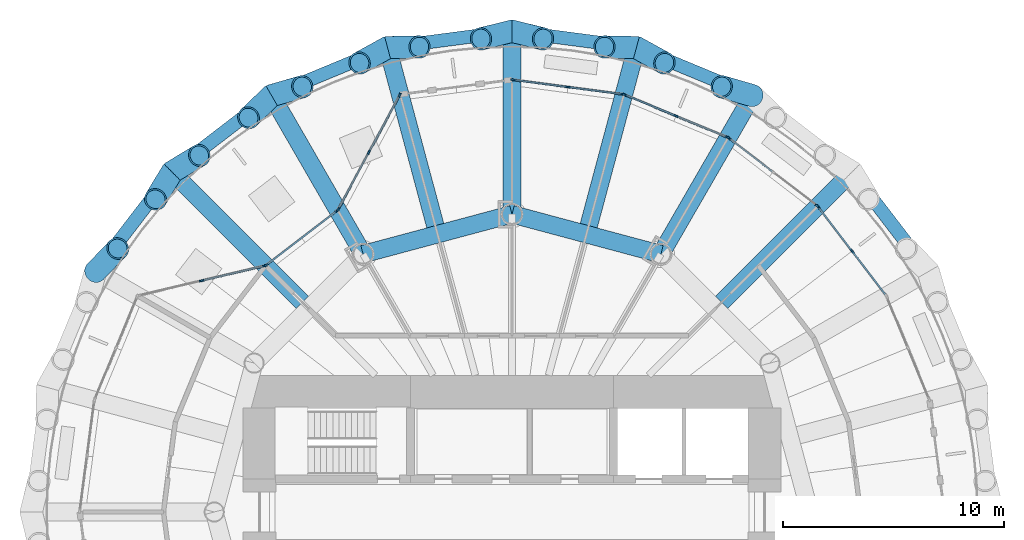
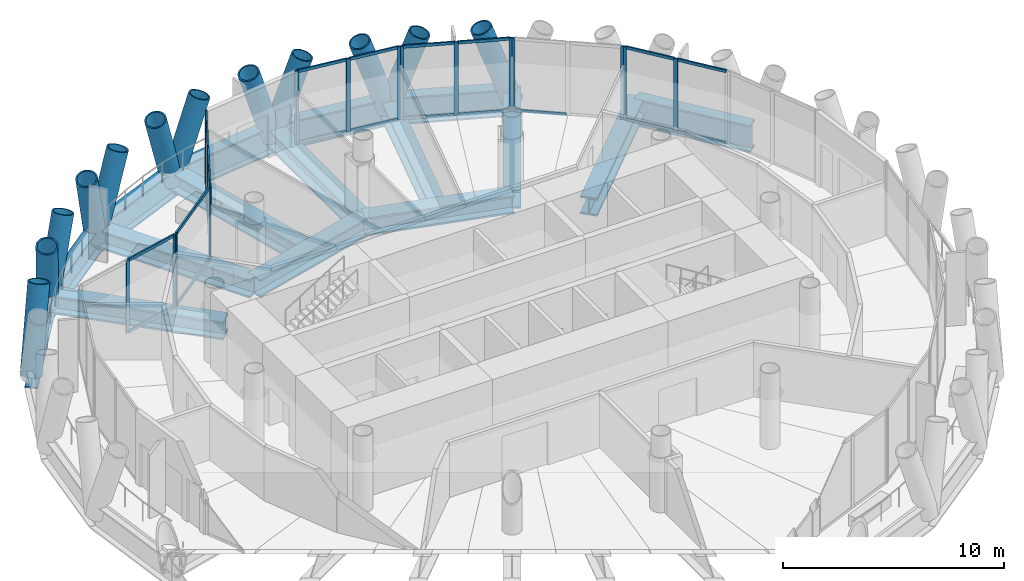
# One storey, part 5 of 14: 50 members, 16 beams, 7 elements without a shape of their own.
"""IFC4 building model written with IfcOpenShell, lengths in metres."""

from ifc_helpers import new_model, si_unit, direction, frame, origin, origin_2d, place, context, subcontext, project, spatial, rectangle, hollow_circle, i_section, extrude, material, material_profile, profile_set, type_object, element, aggregate, save


model = new_model("IFC4")

# Units and contexts
model_context = context("Model", 3, precision=1e-05, world=origin(), true_north=direction((0.0, 1.0)))
body_context = subcontext(model_context, "Body", "Model", "MODEL_VIEW")
ifc_project = project(units=[si_unit("LENGTHUNIT", "METRE"), si_unit("AREAUNIT", "SQUARE_METRE"), si_unit("VOLUMEUNIT", "CUBIC_METRE"), si_unit("PLANEANGLEUNIT", "RADIAN"), si_unit("MASSUNIT", "GRAM", prefix="KILO")], contexts=[model_context])

# Site, building, storey
site_placement = place(None, origin())
site = spatial("IfcSite", under=ifc_project, at=site_placement, CompositionType="ELEMENT")
building_placement = place(site_placement, origin())
building = spatial("IfcBuilding", under=site, at=building_placement, Name="Qaws Media Tower", CompositionType="ELEMENT")
storey_placement = place(building_placement, frame((0.0, 0.0, 261.199951171875)))
storey = spatial("IfcBuildingStorey", under=building, at=storey_placement, Name="L60", CompositionType="ELEMENT", Elevation=261.199951171875)

# Curtain wall, members
ifc_material_1 = material(Name="Aluminium and clear glass", Category="aluminium")
curtain_wall_type_1 = type_object("IfcCurtainWallType", Name="Unitised curtain wall CW-D", PredefinedType="NOTDEFINED", material=ifc_material_1)
curtain_wall_1_placement = place(storey_placement, origin())
curtain_wall_1 = element("IfcCurtainWall", 1, at=curtain_wall_1_placement, inside=storey, type_object=curtain_wall_type_1, Name="CWD curtain wall L60-03", PredefinedType="NOTDEFINED")
ifc_material_2 = material(Name="Aluminium mullion", Category="aluminium")
ifc_material_profile_1 = material_profile(ifc_material_2, rectangle(XDim=0.080078125, YDim=0.199951171875, at=origin_2d()), Name="80x200")
ifc_profile_set_1 = profile_set([ifc_material_profile_1], Name="Aluminium mullion")
member_type_1 = type_object("IfcMemberType", Name="Curtain wall mullion 80x200", PredefinedType="MULLION", material=ifc_profile_set_1)
member_1_placement = place(storey_placement, frame((75.416748046875, 61.82958984375, 0.0), z_axis=(0.0, 0.0, 1.0), x_axis=(-0.793353346996, -0.608761420271, 0.0)))
member_1 = element("IfcMember", 2, at=member_1_placement, type_object=member_type_1, Name="CWD mullion 2", PredefinedType="MULLION", context=body_context, shape_type="SweptSolid", body=[
    extrude(rectangle(XDim=0.080078125, YDim=0.199951171875, at=origin_2d()), origin(), (0.0, 0.0, 1.0), 4.0400390625),
])
member_2_placement = place(storey_placement, frame((73.883544921875, 63.82763671875, 0.0), z_axis=(0.0, 0.0, 1.0), x_axis=(-0.793353346996, -0.608761420271, 0.0)))
member_2 = element("IfcMember", 3, at=member_2_placement, type_object=member_type_1, Name="CWD mullion 3", PredefinedType="MULLION", context=body_context, shape_type="SweptSolid", body=[
    extrude(rectangle(XDim=0.080078125, YDim=0.199951171875, at=origin_2d()), origin(), (0.0, 0.0, 1.0), 4.0400390625),
])

curtain_wall_2_placement = place(storey_placement, origin())
curtain_wall_2 = element("IfcCurtainWall", 4, at=curtain_wall_2_placement, inside=storey, type_object=curtain_wall_type_1, Name="CWD curtain wall L60-04", PredefinedType="NOTDEFINED")
member_3_placement = place(storey_placement, frame((73.82763671875, 63.883544921875, 0.0), z_axis=(0.0, 0.0, 1.0), x_axis=(-0.608761420271, -0.793353346996, 0.0)))
member_3 = element("IfcMember", 5, at=member_3_placement, type_object=member_type_1, Name="CWD mullion 1", PredefinedType="MULLION", context=body_context, shape_type="SweptSolid", body=[
    extrude(rectangle(XDim=0.080078125, YDim=0.199951171875, at=origin_2d()), origin(), (0.0, 0.0, 1.0), 4.0400390625),
])
member_4_placement = place(storey_placement, frame((69.831787109375, 66.94970703125, 0.0), z_axis=(0.0, 0.0, 1.0), x_axis=(-0.608761420271, -0.793353346996, 0.0)))
member_4 = element("IfcMember", 6, at=member_4_placement, type_object=member_type_1, Name="CWD mullion 3", PredefinedType="MULLION", context=body_context, shape_type="SweptSolid", body=[
    extrude(rectangle(XDim=0.080078125, YDim=0.199951171875, at=origin_2d()), origin(), (0.0, 0.0, 1.0), 4.0400390625),
])

curtain_wall_3_placement = place(storey_placement, origin())
curtain_wall_3 = element("IfcCurtainWall", 7, at=curtain_wall_3_placement, inside=storey, type_object=curtain_wall_type_1, Name="CWD curtain wall L60-05", PredefinedType="NOTDEFINED")
member_5_placement = place(storey_placement, frame((69.762939453125, 66.989501953125, 0.0), z_axis=(0.0, 0.0, 1.0), x_axis=(-0.382683365851, -0.923879560063, 0.0)))
member_5 = element("IfcMember", 8, at=member_5_placement, type_object=member_type_1, Name="CWD mullion 1", PredefinedType="MULLION", context=body_context, shape_type="SweptSolid", body=[
    extrude(rectangle(XDim=0.080078125, YDim=0.199951171875, at=origin_2d()), origin(), (0.0, 0.0, 1.0), 4.0400390625),
])
member_6_placement = place(storey_placement, frame((67.4365234375, 67.953125, 0.0), z_axis=(0.0, 0.0, 1.0), x_axis=(-0.382683365851, -0.923879560063, 0.0)))
member_6 = element("IfcMember", 9, at=member_6_placement, type_object=member_type_1, Name="CWD mullion 2", PredefinedType="MULLION", context=body_context, shape_type="SweptSolid", body=[
    extrude(rectangle(XDim=0.080078125, YDim=0.199951171875, at=origin_2d()), origin(), (0.0, 0.0, 1.0), 4.0400390625),
])
member_7_placement = place(storey_placement, frame((65.10986328125, 68.916748046875, 0.0), z_axis=(0.0, 0.0, 1.0), x_axis=(-0.382683365851, -0.923879560063, 0.0)))
member_7 = element("IfcMember", 10, at=member_7_placement, type_object=member_type_1, Name="CWD mullion 3", PredefinedType="MULLION", context=body_context, shape_type="SweptSolid", body=[
    extrude(rectangle(XDim=0.080078125, YDim=0.199951171875, at=origin_2d()), origin(), (0.0, 0.0, 1.0), 4.0400390625),
])

curtain_wall_4_placement = place(storey_placement, origin())
curtain_wall_4 = element("IfcCurtainWall", 11, at=curtain_wall_4_placement, inside=storey, type_object=curtain_wall_type_1, Name="CWD curtain wall L60-06", PredefinedType="NOTDEFINED")
member_8_placement = place(storey_placement, frame((65.033203125, 68.937255859375, 0.0), z_axis=(0.0, 0.0, 1.0), x_axis=(-0.130526236916, -0.991444855489, 0.0)))
member_8 = element("IfcMember", 12, at=member_8_placement, type_object=member_type_1, Name="CWD mullion 1", PredefinedType="MULLION", context=body_context, shape_type="SweptSolid", body=[
    extrude(rectangle(XDim=0.080078125, YDim=0.199951171875, at=origin_2d()), origin(), (0.0, 0.0, 1.0), 4.0400390625),
])
member_9_placement = place(storey_placement, frame((62.536376953125, 69.26611328125, 0.0), z_axis=(0.0, 0.0, 1.0), x_axis=(-0.130526236916, -0.991444855489, 0.0)))
member_9 = element("IfcMember", 13, at=member_9_placement, type_object=member_type_1, Name="CWD mullion 2", PredefinedType="MULLION", context=body_context, shape_type="SweptSolid", body=[
    extrude(rectangle(XDim=0.080078125, YDim=0.199951171875, at=origin_2d()), origin(), (0.0, 0.0, 1.0), 4.0400390625),
])
member_10_placement = place(storey_placement, frame((60.03955078125, 69.5947265625, 0.0), z_axis=(0.0, 0.0, 1.0), x_axis=(-0.130526236916, -0.991444855489, 0.0)))
member_10 = element("IfcMember", 14, at=member_10_placement, type_object=member_type_1, Name="CWD mullion 3", PredefinedType="MULLION", context=body_context, shape_type="SweptSolid", body=[
    extrude(rectangle(XDim=0.080078125, YDim=0.199951171875, at=origin_2d()), origin(), (0.0, 0.0, 1.0), 4.0400390625),
])

ifc_material_3 = material(Name="Aluminium and clear glass", Category="aluminium")
curtain_wall_type_2 = type_object("IfcCurtainWallType", Name="Loggia curtain wall CW-G", PredefinedType="NOTDEFINED", material=ifc_material_3)
curtain_wall_5_placement = place(storey_placement, origin())
curtain_wall_5 = element("IfcCurtainWall", 15, at=curtain_wall_5_placement, inside=storey, type_object=curtain_wall_type_2, Name="CWG curtain wall L60-08", PredefinedType="NOTDEFINED")
member_11_placement = place(storey_placement, frame((54.908203125, 68.89697265625, 0.0), z_axis=(0.0, 0.0, 1.0), x_axis=(0.880415640804, -0.474202804112, 0.0)))
member_11 = element("IfcMember", 16, at=member_11_placement, type_object=member_type_1, Name="CWG mullion 1", PredefinedType="MULLION", context=body_context, shape_type="SweptSolid", body=[
    extrude(rectangle(XDim=0.080078125, YDim=0.199951171875, at=origin_2d()), origin(), (0.0, 0.0, 1.0), 4.0400390625),
])
member_12_placement = place(storey_placement, frame((53.513671875, 66.3076171875, 0.0), z_axis=(0.0, 0.0, 1.0), x_axis=(0.880415640804, -0.474202804112, 0.0)))
member_12 = element("IfcMember", 17, at=member_12_placement, type_object=member_type_1, Name="CWG mullion 2", PredefinedType="MULLION", context=body_context, shape_type="SweptSolid", body=[
    extrude(rectangle(XDim=0.080078125, YDim=0.199951171875, at=origin_2d()), origin(), (0.0, 0.0, 1.0), 4.0400390625),
])
member_13_placement = place(storey_placement, frame((52.118896484375, 63.718505859375, 0.0), z_axis=(0.0, 0.0, 1.0), x_axis=(0.880415640804, -0.474202804112, 0.0)))
member_13 = element("IfcMember", 18, at=member_13_placement, type_object=member_type_1, Name="CWG mullion 3", PredefinedType="MULLION", context=body_context, shape_type="SweptSolid", body=[
    extrude(rectangle(XDim=0.080078125, YDim=0.199951171875, at=origin_2d()), origin(), (0.0, 0.0, 1.0), 4.0400390625),
])

curtain_wall_6_placement = place(storey_placement, origin())
curtain_wall_6 = element("IfcCurtainWall", 19, at=curtain_wall_6_placement, inside=storey, type_object=curtain_wall_type_2, Name="CWG curtain wall L60-09", PredefinedType="NOTDEFINED")
member_14_placement = place(storey_placement, frame((52.068359375, 63.658935546875, 0.0), z_axis=(0.0, 0.0, 1.0), x_axis=(0.608761409554, -0.793353355219, 0.0)))
member_14 = element("IfcMember", 20, at=member_14_placement, type_object=member_type_1, Name="CWG mullion 1", PredefinedType="MULLION", context=body_context, shape_type="SweptSolid", body=[
    extrude(rectangle(XDim=0.080078125, YDim=0.199951171875, at=origin_2d()), origin(), (0.0, 0.0, 1.0), 4.0400390625),
])
member_15_placement = place(storey_placement, frame((48.859375, 61.196533203125, 0.0), z_axis=(0.0, 0.0, 1.0), x_axis=(0.608761409554, -0.793353355219, 0.0)))
member_15 = element("IfcMember", 21, at=member_15_placement, type_object=member_type_1, Name="CWG mullion 2", PredefinedType="MULLION", context=body_context, shape_type="SweptSolid", body=[
    extrude(rectangle(XDim=0.080078125, YDim=0.199951171875, at=origin_2d()), origin(), (0.0, 0.0, 1.0), 4.0400390625),
])

curtain_wall_7_placement = place(storey_placement, origin())
curtain_wall_7 = element("IfcCurtainWall", 22, at=curtain_wall_7_placement, inside=storey, type_object=curtain_wall_type_2, Name="CWG curtain wall L60-10", PredefinedType="NOTDEFINED")
member_16_placement = place(storey_placement, frame((48.788818359375, 61.1630859375, 0.0), z_axis=(0.0, 0.0, 1.0), x_axis=(0.230176342162, -0.973148935934, 0.0)))
member_16 = element("IfcMember", 23, at=member_16_placement, type_object=member_type_1, Name="CWG mullion 1", PredefinedType="MULLION", context=body_context, shape_type="SweptSolid", body=[
    extrude(rectangle(XDim=0.080078125, YDim=0.199951171875, at=origin_2d()), origin(), (0.0, 0.0, 1.0), 4.0400390625),
])
member_17_placement = place(storey_placement, frame((45.9267578125, 60.486083984375, 0.0), z_axis=(0.0, 0.0, 1.0), x_axis=(0.230176342162, -0.973148935934, 0.0)))
member_17 = element("IfcMember", 24, at=member_17_placement, type_object=member_type_1, Name="CWG mullion 2", PredefinedType="MULLION", context=body_context, shape_type="SweptSolid", body=[
    extrude(rectangle(XDim=0.080078125, YDim=0.199951171875, at=origin_2d()), origin(), (0.0, 0.0, 1.0), 4.0400390625),
])

# Member
ifc_material_4 = material(Name="Aluminium transom", Category="aluminium")
ifc_material_profile_2 = material_profile(ifc_material_4, rectangle(XDim=0.080078125, YDim=0.159912109375, at=origin_2d()), Name="80x160")
ifc_profile_set_2 = profile_set([ifc_material_profile_2], Name="Aluminium transom")
member_type_2 = type_object("IfcMemberType", Name="Curtain wall transom 80x160", PredefinedType="USERDEFINED", material=ifc_profile_set_2)
member_18_placement = place(storey_placement, frame((76.92529296875, 59.863525390625, 0.0400390625), z_axis=(-0.60872791556, 0.79337905494, 0.0), x_axis=(-0.79337905494, -0.60872791556, 0.0)))
member_18 = element("IfcMember", 25, at=member_18_placement, type_object=member_type_2, Name="CWD transom 1.1", ObjectType="TRANSOM", PredefinedType="USERDEFINED", context=body_context, shape_type="SweptSolid", body=[
    extrude(rectangle(XDim=0.080078125, YDim=0.159912109375, at=origin_2d()), origin(), (0.0, 0.0, 1.0), 2.43798828125),
])

member_19_placement = place(storey_placement, frame((76.92529296875, 59.863525390625, 4.0), z_axis=(-0.60872791556, 0.79337905494, 0.0), x_axis=(-0.79337905494, -0.60872791556, 0.0)))
member_19 = element("IfcMember", 26, at=member_19_placement, type_object=member_type_2, Name="CWD transom 1.2", ObjectType="TRANSOM", PredefinedType="USERDEFINED", context=body_context, shape_type="SweptSolid", body=[
    extrude(rectangle(XDim=0.080078125, YDim=0.159912109375, at=origin_2d()), origin(), (0.0, 0.0, 1.0), 2.43798828125),
])

member_20_placement = place(storey_placement, frame((75.392333984375, 61.861328125, 0.0400390625), z_axis=(-0.608742583183, 0.793367800846, 0.0), x_axis=(-0.793367800846, -0.608742583183, 0.0)))
member_20 = element("IfcMember", 27, at=member_20_placement, type_object=member_type_2, Name="CWD transom 2.1", ObjectType="TRANSOM", PredefinedType="USERDEFINED", context=body_context, shape_type="SweptSolid", body=[
    extrude(rectangle(XDim=0.080078125, YDim=0.159912109375, at=origin_2d()), origin(), (0.0, 0.0, 1.0), 2.4384765625),
])

member_21_placement = place(storey_placement, frame((75.392333984375, 61.861328125, 4.0), z_axis=(-0.608742583183, 0.793367800846, 0.0), x_axis=(-0.793367800846, -0.608742583183, 0.0)))
member_21 = element("IfcMember", 28, at=member_21_placement, type_object=member_type_2, Name="CWD transom 2.2", ObjectType="TRANSOM", PredefinedType="USERDEFINED", context=body_context, shape_type="SweptSolid", body=[
    extrude(rectangle(XDim=0.080078125, YDim=0.159912109375, at=origin_2d()), origin(), (0.0, 0.0, 1.0), 2.4384765625),
])

aggregate(curtain_wall_1, [member_1, member_2, member_18, member_19, member_20, member_21])

member_22_placement = place(storey_placement, frame((71.7978515625, 65.441162109375, 0.0400390625), z_axis=(-0.79337905494, 0.60872791556, 0.0), x_axis=(-0.60872791556, -0.79337905494, 0.0)))
member_22 = element("IfcMember", 29, at=member_22_placement, type_object=member_type_2, Name="CWD transom 2.1", ObjectType="TRANSOM", PredefinedType="USERDEFINED", context=body_context, shape_type="SweptSolid", body=[
    extrude(rectangle(XDim=0.080078125, YDim=0.159912109375, at=origin_2d()), origin(), (0.0, 0.0, 1.0), 2.43798828125),
])

aggregate(curtain_wall_2, [member_3, member_4, member_22])

member_23_placement = place(storey_placement, frame((69.72607421875, 67.004638671875, 0.0400390625), z_axis=(-0.923877710793, 0.382687830351, 0.0), x_axis=(-0.382687830351, -0.923877710793, 0.0)))
member_23 = element("IfcMember", 30, at=member_23_placement, type_object=member_type_2, Name="CWD transom 1.1", ObjectType="TRANSOM", PredefinedType="USERDEFINED", context=body_context, shape_type="SweptSolid", body=[
    extrude(rectangle(XDim=0.080078125, YDim=0.159912109375, at=origin_2d()), origin(), (0.0, 0.0, 1.0), 2.438232421875),
])

member_24_placement = place(storey_placement, frame((69.72607421875, 67.004638671875, 4.0), z_axis=(-0.923877710793, 0.382687830351, 0.0), x_axis=(-0.382687830351, -0.923877710793, 0.0)))
member_24 = element("IfcMember", 31, at=member_24_placement, type_object=member_type_2, Name="CWD transom 1.2", ObjectType="TRANSOM", PredefinedType="USERDEFINED", context=body_context, shape_type="SweptSolid", body=[
    extrude(rectangle(XDim=0.080078125, YDim=0.159912109375, at=origin_2d()), origin(), (0.0, 0.0, 1.0), 2.438232421875),
])

member_25_placement = place(storey_placement, frame((67.3994140625, 67.968505859375, 0.0400390625), z_axis=(-0.923877710793, 0.382687830351, 0.0), x_axis=(-0.382687830351, -0.923877710793, 0.0)))
member_25 = element("IfcMember", 32, at=member_25_placement, type_object=member_type_2, Name="CWD transom 2.1", ObjectType="TRANSOM", PredefinedType="USERDEFINED", context=body_context, shape_type="SweptSolid", body=[
    extrude(rectangle(XDim=0.080078125, YDim=0.159912109375, at=origin_2d()), origin(), (0.0, 0.0, 1.0), 2.438232421875),
])

member_26_placement = place(storey_placement, frame((67.3994140625, 67.968505859375, 4.0), z_axis=(-0.923877710793, 0.382687830351, 0.0), x_axis=(-0.382687830351, -0.923877710793, 0.0)))
member_26 = element("IfcMember", 33, at=member_26_placement, type_object=member_type_2, Name="CWD transom 2.2", ObjectType="TRANSOM", PredefinedType="USERDEFINED", context=body_context, shape_type="SweptSolid", body=[
    extrude(rectangle(XDim=0.080078125, YDim=0.159912109375, at=origin_2d()), origin(), (0.0, 0.0, 1.0), 2.438232421875),
])

aggregate(curtain_wall_3, [member_5, member_6, member_7, member_23, member_24, member_25, member_26])

member_27_placement = place(storey_placement, frame((64.99365234375, 68.942626953125, 0.0400390625), z_axis=(-0.991452932295, 0.130464872832, 0.0), x_axis=(-0.130464872832, -0.991452932295, 0.0)))
member_27 = element("IfcMember", 34, at=member_27_placement, type_object=member_type_2, Name="CWD transom 1.1", ObjectType="TRANSOM", PredefinedType="USERDEFINED", context=body_context, shape_type="SweptSolid", body=[
    extrude(rectangle(XDim=0.080078125, YDim=0.159912109375, at=origin_2d()), origin(), (0.0, 0.0, 1.0), 2.438232421875),
])

member_28_placement = place(storey_placement, frame((64.99365234375, 68.942626953125, 4.0), z_axis=(-0.991452932295, 0.130464872832, 0.0), x_axis=(-0.130464872832, -0.991452932295, 0.0)))
member_28 = element("IfcMember", 35, at=member_28_placement, type_object=member_type_2, Name="CWD transom 1.2", ObjectType="TRANSOM", PredefinedType="USERDEFINED", context=body_context, shape_type="SweptSolid", body=[
    extrude(rectangle(XDim=0.080078125, YDim=0.159912109375, at=origin_2d()), origin(), (0.0, 0.0, 1.0), 2.438232421875),
])

member_29_placement = place(storey_placement, frame((62.496826171875, 69.271240234375, 0.0400390625), z_axis=(-0.991439976234, 0.130563293174, 0.0), x_axis=(-0.130563293174, -0.991439976234, 0.0)))
member_29 = element("IfcMember", 36, at=member_29_placement, type_object=member_type_2, Name="CWD transom 2.1", ObjectType="TRANSOM", PredefinedType="USERDEFINED", context=body_context, shape_type="SweptSolid", body=[
    extrude(rectangle(XDim=0.080078125, YDim=0.159912109375, at=origin_2d()), origin(), (0.0, 0.0, 1.0), 2.438232421875),
])

member_30_placement = place(storey_placement, frame((62.496826171875, 69.271240234375, 4.0), z_axis=(-0.991439976234, 0.130563293174, 0.0), x_axis=(-0.130563293174, -0.991439976234, 0.0)))
member_30 = element("IfcMember", 37, at=member_30_placement, type_object=member_type_2, Name="CWD transom 2.2", ObjectType="TRANSOM", PredefinedType="USERDEFINED", context=body_context, shape_type="SweptSolid", body=[
    extrude(rectangle(XDim=0.080078125, YDim=0.159912109375, at=origin_2d()), origin(), (0.0, 0.0, 1.0), 2.438232421875),
])

aggregate(curtain_wall_4, [member_8, member_9, member_10, member_27, member_28, member_29, member_30])

member_31_placement = place(storey_placement, frame((54.88916015625, 68.86181640625, 0.0400390625), z_axis=(-0.474176148119, -0.880429997533, 0.0), x_axis=(0.880429997533, -0.474176148119, 0.0)))
member_31 = element("IfcMember", 38, at=member_31_placement, type_object=member_type_2, Name="CWG transom 1.1", ObjectType="TRANSOM", PredefinedType="USERDEFINED", context=body_context, shape_type="SweptSolid", body=[
    extrude(rectangle(XDim=0.080078125, YDim=0.159912109375, at=origin_2d()), origin(), (0.0, 0.0, 1.0), 2.861083984375),
])

member_32_placement = place(storey_placement, frame((54.88916015625, 68.86181640625, 4.0), z_axis=(-0.474176148119, -0.880429997533, 0.0), x_axis=(0.880429997533, -0.474176148119, 0.0)))
member_32 = element("IfcMember", 39, at=member_32_placement, type_object=member_type_2, Name="CWG transom 1.2", ObjectType="TRANSOM", PredefinedType="USERDEFINED", context=body_context, shape_type="SweptSolid", body=[
    extrude(rectangle(XDim=0.080078125, YDim=0.159912109375, at=origin_2d()), origin(), (0.0, 0.0, 1.0), 2.861083984375),
])

member_33_placement = place(storey_placement, frame((53.49462890625, 66.2724609375, 0.0400390625), z_axis=(-0.474211773682, -0.880410809623, 0.0), x_axis=(0.880410809623, -0.474211773682, 0.0)))
member_33 = element("IfcMember", 40, at=member_33_placement, type_object=member_type_2, Name="CWG transom 2.1", ObjectType="TRANSOM", PredefinedType="USERDEFINED", context=body_context, shape_type="SweptSolid", body=[
    extrude(rectangle(XDim=0.080078125, YDim=0.159912109375, at=origin_2d()), origin(), (0.0, 0.0, 1.0), 2.86083984375),
])

member_34_placement = place(storey_placement, frame((53.49462890625, 66.2724609375, 4.0), z_axis=(-0.474211773682, -0.880410809623, 0.0), x_axis=(0.880410809623, -0.474211773682, 0.0)))
member_34 = element("IfcMember", 41, at=member_34_placement, type_object=member_type_2, Name="CWG transom 2.2", ObjectType="TRANSOM", PredefinedType="USERDEFINED", context=body_context, shape_type="SweptSolid", body=[
    extrude(rectangle(XDim=0.080078125, YDim=0.159912109375, at=origin_2d()), origin(), (0.0, 0.0, 1.0), 2.86083984375),
])

aggregate(curtain_wall_5, [member_11, member_12, member_13, member_31, member_32, member_33, member_34])

member_35_placement = place(storey_placement, frame((52.03662109375, 63.634521484375, 0.0400390625), z_axis=(-0.793360504872, -0.608752091832, 0.0), x_axis=(0.608752091832, -0.793360504872, 0.0)))
member_35 = element("IfcMember", 42, at=member_35_placement, type_object=member_type_2, Name="CWG transom 1.1", ObjectType="TRANSOM", PredefinedType="USERDEFINED", context=body_context, shape_type="SweptSolid", body=[
    extrude(rectangle(XDim=0.080078125, YDim=0.159912109375, at=origin_2d()), origin(), (0.0, 0.0, 1.0), 3.96484375),
])

member_36_placement = place(storey_placement, frame((52.03662109375, 63.634521484375, 4.0), z_axis=(-0.793360504872, -0.608752091832, 0.0), x_axis=(0.608752091832, -0.793360504872, 0.0)))
member_36 = element("IfcMember", 43, at=member_36_placement, type_object=member_type_2, Name="CWG transom 1.2", ObjectType="TRANSOM", PredefinedType="USERDEFINED", context=body_context, shape_type="SweptSolid", body=[
    extrude(rectangle(XDim=0.080078125, YDim=0.159912109375, at=origin_2d()), origin(), (0.0, 0.0, 1.0), 3.96484375),
])

aggregate(curtain_wall_6, [member_14, member_15, member_35, member_36])

member_37_placement = place(storey_placement, frame((48.749755859375, 61.15380859375, 0.0400390625), z_axis=(-0.973151256769, -0.230166529817, 0.0), x_axis=(0.230166529817, -0.973151256769, 0.0)))
member_37 = element("IfcMember", 44, at=member_37_placement, type_object=member_type_2, Name="CWG transom 1.1", ObjectType="TRANSOM", PredefinedType="USERDEFINED", context=body_context, shape_type="SweptSolid", body=[
    extrude(rectangle(XDim=0.080078125, YDim=0.159912109375, at=origin_2d()), origin(), (0.0, 0.0, 1.0), 2.86083984375),
])

member_38_placement = place(storey_placement, frame((48.749755859375, 61.15380859375, 4.0), z_axis=(-0.973151256769, -0.230166529817, 0.0), x_axis=(0.230166529817, -0.973151256769, 0.0)))
member_38 = element("IfcMember", 45, at=member_38_placement, type_object=member_type_2, Name="CWG transom 1.2", ObjectType="TRANSOM", PredefinedType="USERDEFINED", context=body_context, shape_type="SweptSolid", body=[
    extrude(rectangle(XDim=0.080078125, YDim=0.159912109375, at=origin_2d()), origin(), (0.0, 0.0, 1.0), 2.86083984375),
])

aggregate(curtain_wall_7, [member_16, member_17, member_37, member_38])

# Members
ifc_material_5 = material(Name="Steel S460", Category="steel")
ifc_material_profile_3 = material_profile(ifc_material_5, hollow_circle(Radius=0.508056640625, WallThickness=0.070068359375, at=origin_2d()), Name="CHS 1016x70")
ifc_profile_set_3 = profile_set([ifc_material_profile_3], Name="Steel S460")
member_type_3 = type_object("IfcMemberType", Name="Diagrid member CHS 1016x70", PredefinedType="USERDEFINED", material=ifc_profile_set_3)
for number, where, z_axis, x_axis, name in (
    (46, (70.89990234375, 68.87939453125, -0.909912109375), (-0.313025284583, 0.090786125374, 0.945395711145), (-0.278549335443, -0.960421921722, 0.0), "DG3 diagrid L60 A05"),
    (47, (65.642333984375, 71.05712890625, -0.909912109375), (-0.32593085534, 0.006704360875, 0.945369837197), (-0.020565536647, -0.999788506987, 0.0), "DG3 diagrid L60 A06"),
    (48, (65.642333984375, 71.05712890625, -0.909912109375), (0.285545705126, -0.157171038618, 0.94538929278), (0.482203504183, 0.876059233473, 0.0), "DG3 diagrid L60 B06"),
    (49, (60.0, 71.800048828125, -0.909912109375), (-0.316535346653, -0.077924847492, 0.945374577859), (0.239043500439, -0.97100885933, 0.0), "DG3 diagrid L60 A07"),
    (50, (60.0, 71.800048828125, -0.909912109375), (0.316535346653, -0.077924847492, 0.945374577859), (0.239043500439, 0.97100885933, 0.0), "DG3 diagrid L60 B07"),
    (51, (54.357666015625, 71.05712890625, -0.909912109375), (-0.285545705126, -0.157171038618, 0.94538929278), (0.482203504183, -0.876059233473, 0.0), "DG3 diagrid L60 A08"),
    (52, (54.357666015625, 71.05712890625, -0.909912109375), (0.32593085534, 0.006704360875, 0.945369837197), (-0.020565536647, 0.999788506987, 0.0), "DG3 diagrid L60 B08"),
    (53, (49.10009765625, 68.87939453125, -0.909912109375), (-0.235204226864, -0.225697140124, 0.945378110919), (0.692373895828, -0.721538902884, 0.0), "DG3 diagrid L60 A09"),
    (54, (49.10009765625, 68.87939453125, -0.909912109375), (0.313025284583, 0.090786125374, 0.945395711145), (-0.278549335443, 0.960421921722, 0.0), "DG3 diagrid L60 B09"),
    (55, (44.5849609375, 65.4150390625, -0.909912109375), (-0.168710930242, -0.278895104553, 0.945385711058), (0.855627803582, -0.517591597438, 0.0), "DG3 diagrid L60 A10"),
    (56, (44.5849609375, 65.4150390625, -0.909912109375), (0.278895104553, 0.168710930242, 0.945385711058), (-0.517591597438, 0.855627803582, 0.0), "DG3 diagrid L60 B10"),
    (57, (41.12060546875, 60.89990234375, -0.909912109375), (0.225697140124, 0.235204226864, 0.945378110919), (-0.721538902884, 0.692373895828, 0.0), "DG3 diagrid L60 B11"),
):
    element("IfcMember", number, at=place(storey_placement, frame(where, z_axis=z_axis, x_axis=x_axis)), inside=storey, type_object=member_type_3, Name=name, ObjectType="DIAGRID", PredefinedType="USERDEFINED", context=body_context, shape_type="SweptSolid", body=[
        extrude(hollow_circle(Radius=0.508056640625, WallThickness=0.070068359375, at=origin_2d()), origin(), (0.0, 0.0, 1.0), 4.442626953125),
    ])

# Beams
ifc_material_6 = material(Name="Steel S460", Category="steel")
ifc_material_profile_4 = material_profile(ifc_material_6, i_section(OverallWidth=0.60009765625, OverallDepth=1.5, WebThickness=0.030029296875, FlangeThickness=0.080078125, at=origin_2d()), Name="PG 1500x600")
ifc_profile_set_4 = profile_set([ifc_material_profile_4], Name="Steel S460")
beam_type_1 = type_object("IfcBeamType", Name="Edge ring beam PG 1500x600", PredefinedType="BEAM", material=ifc_profile_set_4)
beam_1_placement = place(storey_placement, frame((78.87939453125, 60.89990234375, -0.909912109375), z_axis=(-0.608735904226, 0.793372925494, 0.0), x_axis=(-0.793372925494, -0.608735904226, 0.0)))
element("IfcBeam", 58, at=beam_1_placement, inside=storey, type_object=beam_type_1, Name="RB5 edge ring beam L60-03", PredefinedType="BEAM", context=body_context, shape_type="SweptSolid", body=[
    extrude(i_section(OverallWidth=0.60009765625, OverallDepth=1.5, WebThickness=0.030029296875, FlangeThickness=0.080078125, at=origin_2d()), origin(), (0.0, 0.0, 1.0), 5.691162109375),
])
beam_2_placement = place(storey_placement, frame((70.89990234375, 68.87939453125, -0.909912109375), z_axis=(-0.923880883447, 0.382680170901, 0.0), x_axis=(-0.382680170901, -0.923880883447, 0.0)))
element("IfcBeam", 59, at=beam_2_placement, inside=storey, type_object=beam_type_1, Name="RB5 edge ring beam L60-05", PredefinedType="BEAM", context=body_context, shape_type="SweptSolid", body=[
    extrude(i_section(OverallWidth=0.60009765625, OverallDepth=1.5, WebThickness=0.030029296875, FlangeThickness=0.080078125, at=origin_2d()), origin(), (0.0, 0.0, 1.0), 5.690673828125),
])
for number, where, z_axis, x_axis, name in (
    (60, (65.642333984375, 71.05712890625, -0.909912109375), (-0.991442756491, 0.130542179395, 0.0), (-0.130542179395, -0.991442756491, 0.0), "RB5 edge ring beam L60-06"),
    (61, (60.0, 71.800048828125, -0.909912109375), (-0.991442756491, -0.130542179395, 0.0), (0.130542179395, -0.991442756491, 0.0), "RB5 edge ring beam L60-07"),
):
    element("IfcBeam", number, at=place(storey_placement, frame(where, z_axis=z_axis, x_axis=x_axis)), inside=storey, type_object=beam_type_1, Name=name, PredefinedType="BEAM", context=body_context, shape_type="SweptSolid", body=[
        extrude(i_section(OverallWidth=0.60009765625, OverallDepth=1.5, WebThickness=0.030029296875, FlangeThickness=0.080078125, at=origin_2d()), origin(), (0.0, 0.0, 1.0), 5.69091796875),
    ])
beam_3_placement = place(storey_placement, frame((54.357666015625, 71.05712890625, -0.909912109375), z_axis=(-0.923880883447, -0.382680170901, 0.0), x_axis=(0.382680170901, -0.923880883447, 0.0)))
element("IfcBeam", 62, at=beam_3_placement, inside=storey, type_object=beam_type_1, Name="RB5 edge ring beam L60-08", PredefinedType="BEAM", context=body_context, shape_type="SweptSolid", body=[
    extrude(i_section(OverallWidth=0.60009765625, OverallDepth=1.5, WebThickness=0.030029296875, FlangeThickness=0.080078125, at=origin_2d()), origin(), (0.0, 0.0, 1.0), 5.690673828125),
])
for number, where, z_axis, x_axis, name in (
    (63, (49.10009765625, 68.87939453125, -0.909912109375), (-0.793372925494, -0.608735904226, 0.0), (0.608735904226, -0.793372925494, 0.0), "RB5 edge ring beam L60-09"),
    (64, (44.5849609375, 65.4150390625, -0.909912109375), (-0.608735904226, -0.793372925494, 0.0), (0.793372925494, -0.608735904226, 0.0), "RB5 edge ring beam L60-10"),
):
    element("IfcBeam", number, at=place(storey_placement, frame(where, z_axis=z_axis, x_axis=x_axis)), inside=storey, type_object=beam_type_1, Name=name, PredefinedType="BEAM", context=body_context, shape_type="SweptSolid", body=[
        extrude(i_section(OverallWidth=0.60009765625, OverallDepth=1.5, WebThickness=0.030029296875, FlangeThickness=0.080078125, at=origin_2d()), origin(), (0.0, 0.0, 1.0), 5.691162109375),
    ])
ifc_material_7 = material(Name="Steel S460", Category="steel")
ifc_material_profile_5 = material_profile(ifc_material_7, i_section(OverallWidth=0.800048828125, OverallDepth=1.0, WebThickness=0.0400390625, FlangeThickness=0.10009765625, at=origin_2d()), Name="PG 1000x800")
ifc_profile_set_5 = profile_set([ifc_material_profile_5], Name="Steel S460")
beam_type_2 = type_object("IfcBeamType", Name="Inner ring girder PG 1000x800", PredefinedType="BEAM", material=ifc_profile_set_5)
for number, where, z_axis, x_axis, name in (
    (65, (66.75, 61.69140625, -0.659912109375), (-0.965928090778, 0.258810593767, 0.0), (-0.258810593767, -0.965928090778, 0.0), "B3 inner ring beam L60 I03-I04"),
    (66, (60.0, 63.5, -0.659912109375), (-0.965928090778, -0.258810593767, 0.0), (0.258810593767, -0.965928090778, 0.0), "B3 inner ring beam L60 I04-I05"),
):
    element("IfcBeam", number, at=place(storey_placement, frame(where, z_axis=z_axis, x_axis=x_axis)), inside=storey, type_object=beam_type_2, Name=name, PredefinedType="BEAM", context=body_context, shape_type="SweptSolid", body=[
        extrude(i_section(OverallWidth=0.800048828125, OverallDepth=1.0, WebThickness=0.0400390625, FlangeThickness=0.10009765625, at=origin_2d()), origin(), (0.0, 0.0, 1.0), 6.988037109375),
    ])
ifc_material_8 = material(Name="Steel S460", Category="steel")
ifc_material_profile_6 = material_profile(ifc_material_8, i_section(OverallWidth=0.800048828125, OverallDepth=1.0, WebThickness=0.0400390625, FlangeThickness=0.10009765625, at=origin_2d()), Name="PG 1000x800")
ifc_profile_set_6 = profile_set([ifc_material_profile_6], Name="Steel S460")
beam_type_3 = type_object("IfcBeamType", Name="Radial girder PG 1000x800", PredefinedType="BEAM", material=ifc_profile_set_6)
beam_4_placement = place(storey_placement, frame((69.50341796875, 59.50341796875, -0.659912109375), z_axis=(0.707106781187, 0.707106781187, 0.0), x_axis=(-0.707106781187, 0.707106781187, 0.0)))
element("IfcBeam", 67, at=beam_4_placement, inside=storey, type_object=beam_type_3, Name="B1 radial beam L60 04", PredefinedType="BEAM", context=body_context, shape_type="SweptSolid", body=[
    extrude(i_section(OverallWidth=0.800048828125, OverallDepth=1.0, WebThickness=0.0400390625, FlangeThickness=0.10009765625, at=origin_2d()), origin(), (0.0, 0.0, 1.0), 8.3603515625),
])
beam_5_placement = place(storey_placement, frame((66.75, 61.69140625, -0.659912109375), z_axis=(0.499992353047, 0.86602981871, 0.0), x_axis=(-0.86602981871, 0.499992353047, 0.0)))
element("IfcBeam", 68, at=beam_5_placement, inside=storey, type_object=beam_type_3, Name="B1 radial beam L60 05", PredefinedType="BEAM", context=body_context, shape_type="SweptSolid", body=[
    extrude(i_section(OverallWidth=0.800048828125, OverallDepth=1.0, WebThickness=0.0400390625, FlangeThickness=0.10009765625, at=origin_2d()), origin(), (0.0, 0.0, 1.0), 8.300048828125),
])
beam_6_placement = place(storey_placement, frame((63.478515625, 62.98193359375, -0.659912109375), z_axis=(0.258827560057, 0.965923544674, 0.0), x_axis=(-0.965923544674, 0.258827560057, 0.0)))
element("IfcBeam", 69, at=beam_6_placement, inside=storey, type_object=beam_type_3, Name="B1 radial beam L60 06", PredefinedType="BEAM", context=body_context, shape_type="SweptSolid", body=[
    extrude(i_section(OverallWidth=0.800048828125, OverallDepth=1.0, WebThickness=0.0400390625, FlangeThickness=0.10009765625, at=origin_2d()), origin(), (0.0, 0.0, 1.0), 8.360107421875),
])
beam_7_placement = place(storey_placement, frame((60.0, 63.5, -0.659912109375), z_axis=(0.0, 1.0, 0.0), x_axis=(-1.0, 0.0, 0.0)))
element("IfcBeam", 70, at=beam_7_placement, inside=storey, type_object=beam_type_3, Name="B1 radial beam L60 07", PredefinedType="BEAM", context=body_context, shape_type="SweptSolid", body=[
    extrude(i_section(OverallWidth=0.800048828125, OverallDepth=1.0, WebThickness=0.0400390625, FlangeThickness=0.10009765625, at=origin_2d()), origin(), (0.0, 0.0, 1.0), 8.300048828125),
])
beam_8_placement = place(storey_placement, frame((56.521484375, 62.98193359375, -0.659912109375), z_axis=(-0.258827560057, 0.965923544674, 0.0), x_axis=(-0.965923544674, -0.258827560057, 0.0)))
element("IfcBeam", 71, at=beam_8_placement, inside=storey, type_object=beam_type_3, Name="B1 radial beam L60 08", PredefinedType="BEAM", context=body_context, shape_type="SweptSolid", body=[
    extrude(i_section(OverallWidth=0.800048828125, OverallDepth=1.0, WebThickness=0.0400390625, FlangeThickness=0.10009765625, at=origin_2d()), origin(), (0.0, 0.0, 1.0), 8.360107421875),
])
beam_9_placement = place(storey_placement, frame((53.25, 61.69140625, -0.659912109375), z_axis=(-0.499992353047, 0.86602981871, 0.0), x_axis=(-0.86602981871, -0.499992353047, 0.0)))
element("IfcBeam", 72, at=beam_9_placement, inside=storey, type_object=beam_type_3, Name="B1 radial beam L60 09", PredefinedType="BEAM", context=body_context, shape_type="SweptSolid", body=[
    extrude(i_section(OverallWidth=0.800048828125, OverallDepth=1.0, WebThickness=0.0400390625, FlangeThickness=0.10009765625, at=origin_2d()), origin(), (0.0, 0.0, 1.0), 8.300048828125),
])
beam_10_placement = place(storey_placement, frame((50.49658203125, 59.50341796875, -0.659912109375), z_axis=(-0.707106781187, 0.707106781187, 0.0), x_axis=(-0.707106781187, -0.707106781187, 0.0)))
element("IfcBeam", 73, at=beam_10_placement, inside=storey, type_object=beam_type_3, Name="B1 radial beam L60 10", PredefinedType="BEAM", context=body_context, shape_type="SweptSolid", body=[
    extrude(i_section(OverallWidth=0.800048828125, OverallDepth=1.0, WebThickness=0.0400390625, FlangeThickness=0.10009765625, at=origin_2d()), origin(), (0.0, 0.0, 1.0), 8.3603515625),
])

save(model, "model.ifc")
